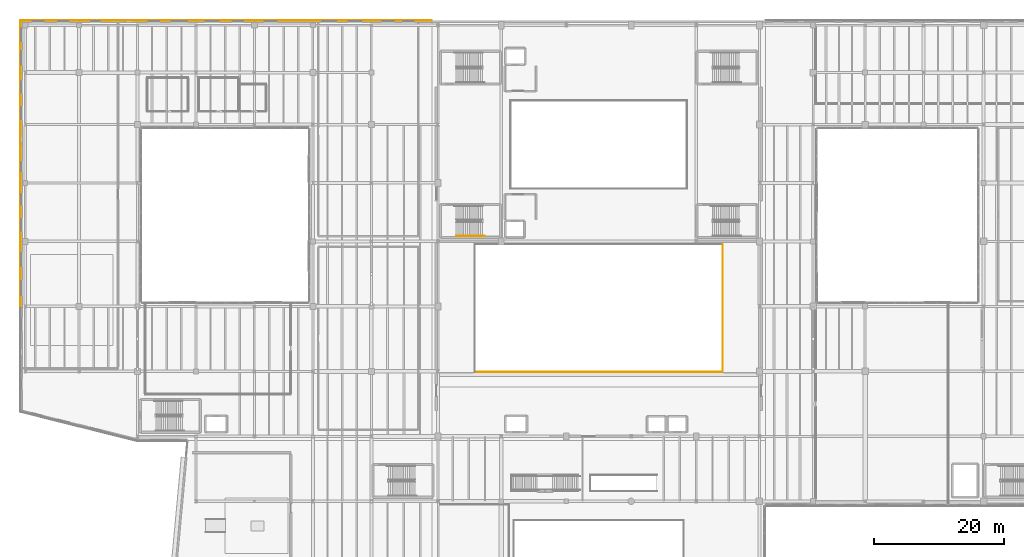
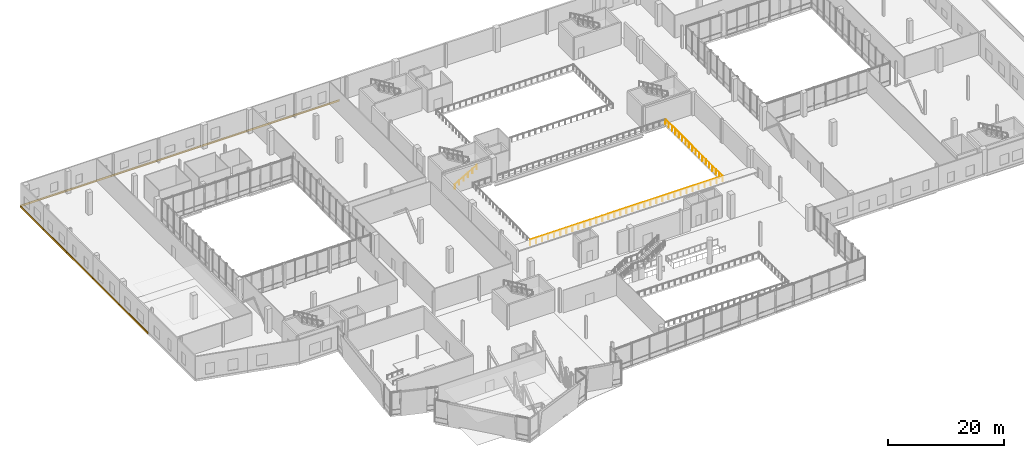
# One storey, part 66 of 73: 12 coverings, 3 railings.
"""IFC4 building model written with IfcOpenShell, lengths in metres."""

from ifc_helpers import new_model, si_unit, direction, frame, origin, origin_2d, place, context, subcontext, project, spatial, rectangle, circle, extrude, material, layer, layer_set, type_object, element, save


model = new_model("IFC4")

# Units and contexts
model_context = context("Model", 3, precision=1e-05, world=origin(), true_north=direction((0.0, 1.0)))
body_context = subcontext(model_context, "Body", "Model", "MODEL_VIEW")
ifc_project = project(units=[si_unit("LENGTHUNIT", "METRE"), si_unit("AREAUNIT", "SQUARE_METRE"), si_unit("VOLUMEUNIT", "CUBIC_METRE"), si_unit("PLANEANGLEUNIT", "RADIAN"), si_unit("MASSUNIT", "GRAM", prefix="KILO")], contexts=[model_context])

# Site, building, storey
site_placement = place(None, origin())
site = spatial("IfcSite", under=ifc_project, at=site_placement, CompositionType="ELEMENT")
building_placement = place(site_placement, origin())
building = spatial("IfcBuilding", under=site, at=building_placement, Name="Trimount Lyric Opera House", CompositionType="ELEMENT")
storey_placement = place(building_placement, frame((0.0, 0.0, 10.0)))
storey = spatial("IfcBuildingStorey", under=building, at=storey_placement, Name="L02", CompositionType="ELEMENT", Elevation=10.0)

# Coverings
ifc_material_1 = material(Name="Architectural Precast Concrete Spandrel Band", Category="concrete")
ifc_layer = layer(ifc_material_1, 0.094970703125)
ifc_layer_set = layer_set([ifc_layer], Name="CLD-WING1")
covering_type = type_object("IfcCoveringType", Name="CLD-WING1", PredefinedType="CLADDING", material=ifc_layer_set)
covering_1_placement = place(storey_placement, frame((-0.04150390625, 79.0, -0.369873046875), z_axis=(0.0, 0.0, 1.0), x_axis=(0.0, 1.0, 0.0)))
element("IfcCovering", 1, at=covering_1_placement, inside=storey, type_object=covering_type, Name="L02 precast slab-edge spandrel 199", PredefinedType="CLADDING", context=body_context, shape_type="SweptSolid", body=[
    extrude(rectangle(XDim=9.93994140625, YDim=0.094970703125, at=origin_2d()), origin(), (0.0, 0.0, 1.0), 0.419921875),
])
for number, where, z_axis, x_axis, name in (
    (2, (-0.04150390625, 88.5, -0.369873046875), (0.0, 0.0, 1.0), (0.0, 1.0, 0.0), "L02 precast slab-edge spandrel 200"),
    (3, (-0.04150390625, 97.5, -0.369873046875), (0.0, 0.0, 1.0), (0.0, 1.0, 0.0), "L02 precast slab-edge spandrel 201"),
):
    element("IfcCovering", number, at=place(storey_placement, frame(where, z_axis=z_axis, x_axis=x_axis)), inside=storey, type_object=covering_type, Name=name, PredefinedType="CLADDING", context=body_context, shape_type="SweptSolid", body=[
        extrude(rectangle(XDim=8.93994140625, YDim=0.094970703125, at=origin_2d()), origin(), (0.0, 0.0, 1.0), 0.419921875),
    ])
for number, where, z_axis, x_axis, name in (
    (4, (-0.04150390625, 106.0, -0.369873046875), (0.0, 0.0, 1.0), (0.0, 1.0, 0.0), "L02 precast slab-edge spandrel 202"),
    (5, (-0.04150390625, 114.0, -0.369873046875), (0.0, 0.0, 1.0), (0.0, 1.0, 0.0), "L02 precast slab-edge spandrel 203"),
):
    element("IfcCovering", number, at=place(storey_placement, frame(where, z_axis=z_axis, x_axis=x_axis)), inside=storey, type_object=covering_type, Name=name, PredefinedType="CLADDING", context=body_context, shape_type="SweptSolid", body=[
        extrude(rectangle(XDim=7.93994140625, YDim=0.094970703125, at=origin_2d()), origin(), (0.0, 0.0, 1.0), 0.419921875),
    ])
for number, where, z_axis, x_axis, name in (
    (6, (4.5, 118.04150390625, -0.369873046875), (0.0, 0.0, 1.0), (1.0, 0.0, 0.0), "L02 precast slab-edge spandrel 204"),
    (7, (13.5, 118.04150390625, -0.369873046875), (0.0, 0.0, 1.0), (1.0, 0.0, 0.0), "L02 precast slab-edge spandrel 205"),
    (8, (22.5, 118.04150390625, -0.369873046875), (0.0, 0.0, 1.0), (1.0, 0.0, 0.0), "L02 precast slab-edge spandrel 206"),
    (9, (31.5, 118.04150390625, -0.369873046875), (0.0, 0.0, 1.0), (1.0, 0.0, 0.0), "L02 precast slab-edge spandrel 207"),
    (10, (40.5, 118.04150390625, -0.369873046875), (0.0, 0.0, 1.0), (1.0, 0.0, 0.0), "L02 precast slab-edge spandrel 208"),
    (11, (49.5, 118.04150390625, -0.369873046875), (0.0, 0.0, 1.0), (1.0, 0.0, 0.0), "L02 precast slab-edge spandrel 209"),
):
    element("IfcCovering", number, at=place(storey_placement, frame(where, z_axis=z_axis, x_axis=x_axis)), inside=storey, type_object=covering_type, Name=name, PredefinedType="CLADDING", context=body_context, shape_type="SweptSolid", body=[
        extrude(rectangle(XDim=8.93994140625, YDim=0.094970703125, at=origin_2d()), origin(), (0.0, 0.0, 1.0), 0.419921875),
    ])
covering_2_placement = place(storey_placement, frame((58.659912109375, 118.04150390625, -0.369873046875), z_axis=(0.0, 0.0, 1.0), x_axis=(1.0, 0.0, 0.0)))
element("IfcCovering", 12, at=covering_2_placement, inside=storey, type_object=covering_type, Name="L02 precast slab-edge spandrel 210", PredefinedType="CLADDING", context=body_context, shape_type="SweptSolid", body=[
    extrude(rectangle(XDim=9.260009765625, YDim=0.094970703125, at=origin_2d()), origin(), (0.0, 0.0, 1.0), 0.419921875),
])

# Railings
ifc_material_2 = material(Name="Bronze and Laminated Acoustic Glass", Category="glass")
railing_type_1 = type_object("IfcRailingType", Name="RL-BAL112", PredefinedType="BALUSTRADE", material=ifc_material_2)
railing_1_placement = place(storey_placement, frame((69.919921875, 63.919921875, 0.0)))
element("IfcRailing", 13, at=railing_1_placement, inside=storey, type_object=railing_type_1, Name="L02 atrium and balcony guard GRD-AUD-L02-S", PredefinedType="BALUSTRADE", context=body_context, shape_type="SweptSolid", body=[
    extrude(circle(Radius=0.02734375, at=origin_2d()), frame((0.0, 0.0, 1.0927734375), z_axis=(1.0, 0.0, 0.0), x_axis=(0.0, 1.0, 0.0)), (0.0, 0.0, 1.0), 38.16015625),
    extrude(circle(Radius=0.02099609375, at=origin_2d()), origin(), (0.0, 0.0, 1.0), 1.065185546875),
    extrude(circle(Radius=0.02099609375, at=origin_2d()), frame((1.1923828125, 0.0, 0.0)), (0.0, 0.0, 1.0), 1.065185546875),
    extrude(circle(Radius=0.02099609375, at=origin_2d()), frame((2.385009765625, 0.0, 0.0)), (0.0, 0.0, 1.0), 1.065185546875),
    extrude(circle(Radius=0.02099609375, at=origin_2d()), frame((3.57763671875, 0.0, 0.0)), (0.0, 0.0, 1.0), 1.065185546875),
    extrude(circle(Radius=0.02099609375, at=origin_2d()), frame((4.77001953125, 0.0, 0.0)), (0.0, 0.0, 1.0), 1.065185546875),
    extrude(circle(Radius=0.02099609375, at=origin_2d()), frame((5.96240234375, 0.0, 0.0)), (0.0, 0.0, 1.0), 1.065185546875),
    extrude(circle(Radius=0.02099609375, at=origin_2d()), frame((7.155029296875, 0.0, 0.0)), (0.0, 0.0, 1.0), 1.065185546875),
    extrude(circle(Radius=0.02099609375, at=origin_2d()), frame((8.34765625, 0.0, 0.0)), (0.0, 0.0, 1.0), 1.065185546875),
    extrude(circle(Radius=0.02099609375, at=origin_2d()), frame((9.5400390625, 0.0, 0.0)), (0.0, 0.0, 1.0), 1.065185546875),
    extrude(circle(Radius=0.02099609375, at=origin_2d()), frame((10.732421875, 0.0, 0.0)), (0.0, 0.0, 1.0), 1.065185546875),
    extrude(circle(Radius=0.02099609375, at=origin_2d()), frame((11.925048828125, 0.0, 0.0)), (0.0, 0.0, 1.0), 1.065185546875),
    extrude(circle(Radius=0.02099609375, at=origin_2d()), frame((13.11767578125, 0.0, 0.0)), (0.0, 0.0, 1.0), 1.065185546875),
    extrude(circle(Radius=0.02099609375, at=origin_2d()), frame((14.31005859375, 0.0, 0.0)), (0.0, 0.0, 1.0), 1.065185546875),
    extrude(circle(Radius=0.02099609375, at=origin_2d()), frame((15.50244140625, 0.0, 0.0)), (0.0, 0.0, 1.0), 1.065185546875),
    extrude(circle(Radius=0.02099609375, at=origin_2d()), frame((16.695068359375, 0.0, 0.0)), (0.0, 0.0, 1.0), 1.065185546875),
    extrude(circle(Radius=0.02099609375, at=origin_2d()), frame((17.8876953125, 0.0, 0.0)), (0.0, 0.0, 1.0), 1.065185546875),
    extrude(circle(Radius=0.02099609375, at=origin_2d()), frame((19.080078125, 0.0, 0.0)), (0.0, 0.0, 1.0), 1.065185546875),
    extrude(circle(Radius=0.02099609375, at=origin_2d()), frame((20.2724609375, 0.0, 0.0)), (0.0, 0.0, 1.0), 1.065185546875),
    extrude(circle(Radius=0.02099609375, at=origin_2d()), frame((21.465087890625, 0.0, 0.0)), (0.0, 0.0, 1.0), 1.065185546875),
    extrude(circle(Radius=0.02099609375, at=origin_2d()), frame((22.65771484375, 0.0, 0.0)), (0.0, 0.0, 1.0), 1.065185546875),
    extrude(circle(Radius=0.02099609375, at=origin_2d()), frame((23.85009765625, 0.0, 0.0)), (0.0, 0.0, 1.0), 1.065185546875),
    extrude(circle(Radius=0.02099609375, at=origin_2d()), frame((25.04248046875, 0.0, 0.0)), (0.0, 0.0, 1.0), 1.065185546875),
    extrude(circle(Radius=0.02099609375, at=origin_2d()), frame((26.235107421875, 0.0, 0.0)), (0.0, 0.0, 1.0), 1.065185546875),
    extrude(circle(Radius=0.02099609375, at=origin_2d()), frame((27.427734375, 0.0, 0.0)), (0.0, 0.0, 1.0), 1.065185546875),
    extrude(circle(Radius=0.02099609375, at=origin_2d()), frame((28.6201171875, 0.0, 0.0)), (0.0, 0.0, 1.0), 1.065185546875),
    extrude(circle(Radius=0.02099609375, at=origin_2d()), frame((29.8125, 0.0, 0.0)), (0.0, 0.0, 1.0), 1.065185546875),
    extrude(circle(Radius=0.02099609375, at=origin_2d()), frame((31.005126953125, 0.0, 0.0)), (0.0, 0.0, 1.0), 1.065185546875),
    extrude(circle(Radius=0.02099609375, at=origin_2d()), frame((32.19775390625, 0.0, 0.0)), (0.0, 0.0, 1.0), 1.065185546875),
    extrude(circle(Radius=0.02099609375, at=origin_2d()), frame((33.39013671875, 0.0, 0.0)), (0.0, 0.0, 1.0), 1.065185546875),
    extrude(circle(Radius=0.02099609375, at=origin_2d()), frame((34.58251953125, 0.0, 0.0)), (0.0, 0.0, 1.0), 1.065185546875),
    extrude(circle(Radius=0.02099609375, at=origin_2d()), frame((35.775146484375, 0.0, 0.0)), (0.0, 0.0, 1.0), 1.065185546875),
    extrude(circle(Radius=0.02099609375, at=origin_2d()), frame((36.9677734375, 0.0, 0.0)), (0.0, 0.0, 1.0), 1.065185546875),
    extrude(circle(Radius=0.02099609375, at=origin_2d()), frame((38.16015625, 0.0, 0.0)), (0.0, 0.0, 1.0), 1.065185546875),
])
railing_2_placement = place(storey_placement, frame((108.080078125, 63.919921875, 0.0)))
element("IfcRailing", 14, at=railing_2_placement, inside=storey, type_object=railing_type_1, Name="L02 atrium and balcony guard GRD-AUD-L02-E", PredefinedType="BALUSTRADE", context=body_context, shape_type="SweptSolid", body=[
    extrude(circle(Radius=0.02734375, at=origin_2d()), frame((0.0, 0.0, 1.0927734375), z_axis=(0.0, 1.0, 0.0), x_axis=(-1.0, 0.0, 0.0)), (0.0, 0.0, 1.0), 19.66015625),
    extrude(circle(Radius=0.02099609375, at=origin_2d()), origin(), (0.0, 0.0, 1.0), 1.065185546875),
    extrude(circle(Radius=0.02099609375, at=origin_2d()), frame((0.0, 1.156494140625, 0.0)), (0.0, 0.0, 1.0), 1.065185546875),
    extrude(circle(Radius=0.02099609375, at=origin_2d()), frame((0.0, 2.31298828125, 0.0)), (0.0, 0.0, 1.0), 1.065185546875),
    extrude(circle(Radius=0.02099609375, at=origin_2d()), frame((0.0, 3.469482421875, 0.0)), (0.0, 0.0, 1.0), 1.065185546875),
    extrude(circle(Radius=0.02099609375, at=origin_2d()), frame((0.0, 4.6259765625, 0.0)), (0.0, 0.0, 1.0), 1.065185546875),
    extrude(circle(Radius=0.02099609375, at=origin_2d()), frame((0.0, 5.782470703125, 0.0)), (0.0, 0.0, 1.0), 1.065185546875),
    extrude(circle(Radius=0.02099609375, at=origin_2d()), frame((0.0, 6.93896484375, 0.0)), (0.0, 0.0, 1.0), 1.065185546875),
    extrude(circle(Radius=0.02099609375, at=origin_2d()), frame((0.0, 8.095458984375, 0.0)), (0.0, 0.0, 1.0), 1.065185546875),
    extrude(circle(Radius=0.02099609375, at=origin_2d()), frame((0.0, 9.251953125, 0.0)), (0.0, 0.0, 1.0), 1.065185546875),
    extrude(circle(Radius=0.02099609375, at=origin_2d()), frame((0.0, 10.408203125, 0.0)), (0.0, 0.0, 1.0), 1.065185546875),
    extrude(circle(Radius=0.02099609375, at=origin_2d()), frame((0.0, 11.564697265625, 0.0)), (0.0, 0.0, 1.0), 1.065185546875),
    extrude(circle(Radius=0.02099609375, at=origin_2d()), frame((0.0, 12.72119140625, 0.0)), (0.0, 0.0, 1.0), 1.065185546875),
    extrude(circle(Radius=0.02099609375, at=origin_2d()), frame((0.0, 13.877685546875, 0.0)), (0.0, 0.0, 1.0), 1.065185546875),
    extrude(circle(Radius=0.02099609375, at=origin_2d()), frame((0.0, 15.0341796875, 0.0)), (0.0, 0.0, 1.0), 1.065185546875),
    extrude(circle(Radius=0.02099609375, at=origin_2d()), frame((0.0, 16.190673828125, 0.0)), (0.0, 0.0, 1.0), 1.065185546875),
    extrude(circle(Radius=0.02099609375, at=origin_2d()), frame((0.0, 17.34716796875, 0.0)), (0.0, 0.0, 1.0), 1.065185546875),
    extrude(circle(Radius=0.02099609375, at=origin_2d()), frame((0.0, 18.503662109375, 0.0)), (0.0, 0.0, 1.0), 1.065185546875),
    extrude(circle(Radius=0.02099609375, at=origin_2d()), frame((0.0, 19.66015625, 0.0)), (0.0, 0.0, 1.0), 1.065185546875),
])
ifc_material_3 = material(Name="Brushed Stainless Steel 316", Category="steel")
railing_type_2 = type_object("IfcRailingType", Name="RL-HND092", PredefinedType="HANDRAIL", material=ifc_material_3)
railing_3_placement = place(storey_placement, frame((67.050048828125, 84.85009765625, 0.166748046875)))
element("IfcRailing", 15, at=railing_3_placement, inside=storey, type_object=railing_type_2, Name="L02 ST-03 stair handrail 1", PredefinedType="HANDRAIL", context=body_context, shape_type="SweptSolid", body=[
    extrude(circle(Radius=0.0224609375, at=origin_2d()), frame((0.0, 0.0, 0.8974609375), z_axis=(0.866754379005, 0.0, 0.498735246875), x_axis=(0.0, 1.0, 0.0)), (0.0, 0.0, 1.0), 5.0185546875),
    extrude(circle(Radius=0.02099609375, at=origin_2d()), origin(), (0.0, 0.0, 1.0), 0.875),
    extrude(circle(Radius=0.02099609375, at=origin_2d()), frame((0.869873046875, 0.0, 0.50048828125)), (0.0, 0.0, 1.0), 0.875),
    extrude(circle(Radius=0.02099609375, at=origin_2d()), frame((1.739990234375, 0.0, 1.001220703125)), (0.0, 0.0, 1.0), 0.875),
    extrude(circle(Radius=0.02099609375, at=origin_2d()), frame((2.60986328125, 0.0, 1.501708984375)), (0.0, 0.0, 1.0), 0.875),
    extrude(circle(Radius=0.02099609375, at=origin_2d()), frame((3.47998046875, 0.0, 2.00244140625)), (0.0, 0.0, 1.0), 0.875),
    extrude(circle(Radius=0.02099609375, at=origin_2d()), frame((4.349853515625, 0.0, 2.5029296875)), (0.0, 0.0, 1.0), 0.875),
])

save(model, "model.ifc")
